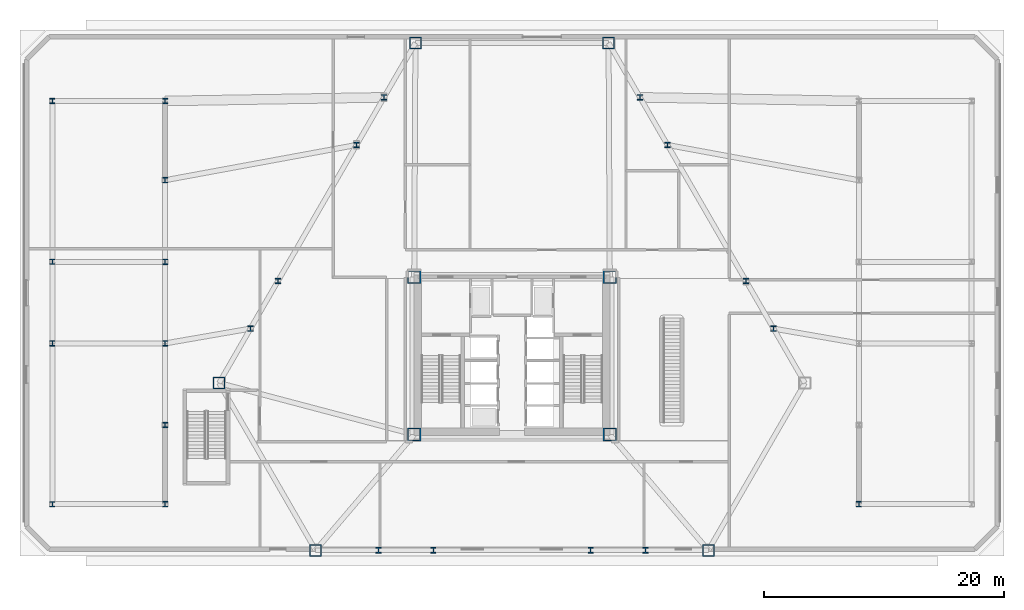
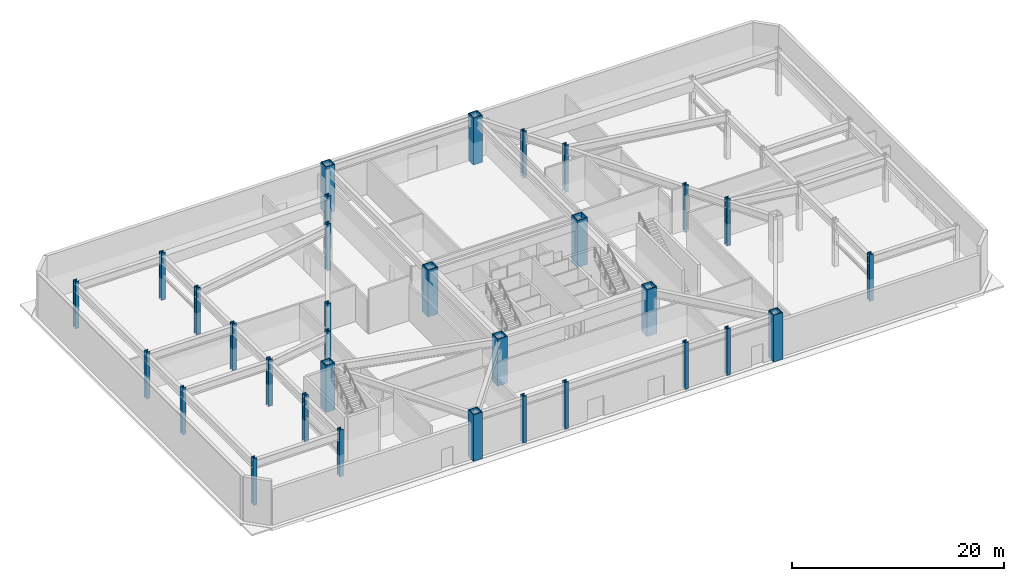
# One storey, part 1 of 12: 32 columns.
"""IFC4 building model written with IfcOpenShell, lengths in metres."""

from ifc_helpers import new_model, si_unit, direction, frame, origin, origin_2d, place, context, subcontext, project, spatial, hollow_rectangle, i_section, extrude, material, material_profile, profile_set, type_object, element, save


model = new_model("IFC4")

# Units and contexts
model_context = context("Model", 3, precision=1e-05, world=origin(), true_north=direction((0.0, 1.0)))
body_context = subcontext(model_context, "Body", "Model", "MODEL_VIEW")
ifc_project = project(units=[si_unit("LENGTHUNIT", "METRE"), si_unit("AREAUNIT", "SQUARE_METRE"), si_unit("VOLUMEUNIT", "CUBIC_METRE"), si_unit("PLANEANGLEUNIT", "RADIAN"), si_unit("MASSUNIT", "GRAM", prefix="KILO")], contexts=[model_context])

# Site, building, storey
site_placement = place(None, origin())
site = spatial("IfcSite", under=ifc_project, at=site_placement, CompositionType="ELEMENT")
building_placement = place(site_placement, origin())
building = spatial("IfcBuilding", under=site, at=building_placement, Name="Oramaril Tower", CompositionType="ELEMENT")
storey_placement = place(building_placement, origin())
storey = spatial("IfcBuildingStorey", under=building, at=storey_placement, Name="L00", CompositionType="ELEMENT", Elevation=0.0)

# Columns
ifc_material_1 = material(Name="Steel ASTM A572 Gr 50", Category="steel")
ifc_material_profile_1 = material_profile(ifc_material_1, hollow_rectangle(XDim=1.10009765625, YDim=1.10009765625, WallThickness=0.090087890625, at=origin_2d()), Name="BOX1100X1100X90")
ifc_profile_set_1 = profile_set([ifc_material_profile_1], Name="Steel ASTM A572 Gr 50")
column_type_1 = type_object("IfcColumnType", Name="CT-CC1", PredefinedType="COLUMN", material=ifc_profile_set_1)
for number, where, z_axis, x_axis, name in (
    (1, (29.35009765625, 11.0, 0.0), (0.0, 0.0, 1.0), (1.0, 0.0, 0.0), "L00 Core Column CC-1"),
    (2, (45.64990234375, 11.0, 0.0), (0.0, 0.0, 1.0), (1.0, 0.0, 0.0), "L00 Core Column CC-2"),
    (3, (45.64990234375, 24.14990234375, 0.0), (0.0, 0.0, 1.0), (1.0, 0.0, 0.0), "L00 Core Column CC-3"),
    (4, (29.35009765625, 24.14990234375, 0.0), (0.0, 0.0, 1.0), (1.0, 0.0, 0.0), "L00 Core Column CC-4"),
):
    element("IfcColumn", number, at=place(storey_placement, frame(where, z_axis=z_axis, x_axis=x_axis)), inside=storey, type_object=column_type_1, Name=name, PredefinedType="COLUMN", context=body_context, shape_type="SweptSolid", body=[
        extrude(hollow_rectangle(XDim=1.10009765625, YDim=1.10009765625, WallThickness=0.090087890625, at=origin_2d()), origin(), (0.0, 0.0, 1.0), 5.39990234375),
    ])
ifc_material_2 = material(Name="Steel ASTM A572 Gr 50", Category="steel")
ifc_material_profile_2 = material_profile(ifc_material_2, hollow_rectangle(XDim=1.0, YDim=1.0, WallThickness=0.0849609375, at=origin_2d()), Name="BOX1000X1000X85")
ifc_profile_set_2 = profile_set([ifc_material_profile_2], Name="Steel ASTM A572 Gr 50")
column_type_2 = type_object("IfcColumnType", Name="CT-TC1", PredefinedType="COLUMN", material=ifc_profile_set_2)
for number, where, z_axis, x_axis, name in (
    (5, (13.089599609375, 15.300048828125, 0.00439453125), (0.0, 0.0, 1.0), (1.0, 0.0, 0.0), "L00 Tube Column TC-01"),
    (6, (21.137939453125, 1.360107421875, 0.00439453125), (0.0, 0.0, 1.0), (1.0, 0.0, 0.0), "L00 Tube Column TC-02"),
    (7, (53.862060546875, 1.360107421875, 0.00439453125), (0.0, 0.0, 1.0), (1.0, 0.0, 0.0), "L00 Tube Column TC-03"),
    (8, (45.548095703125, 43.639892578125, 0.00439453125), (0.0, 0.0, 1.0), (1.0, 0.0, 0.0), "L00 Tube Column TC-05"),
    (9, (29.451904296875, 43.639892578125, 0.00439453125), (0.0, 0.0, 1.0), (1.0, 0.0, 0.0), "L00 Tube Column TC-06"),
):
    element("IfcColumn", number, at=place(storey_placement, frame(where, z_axis=z_axis, x_axis=x_axis)), inside=storey, type_object=column_type_2, Name=name, PredefinedType="COLUMN", context=body_context, shape_type="SweptSolid", body=[
        extrude(hollow_rectangle(XDim=1.0, YDim=1.0, WallThickness=0.0849609375, at=origin_2d()), origin(), (0.0, 0.0, 1.0), 5.39111328125),
    ])
ifc_material_3 = material(Name="Steel ASTM A572 Gr 50", Category="steel")
ifc_material_profile_3 = material_profile(ifc_material_3, i_section(OverallWidth=0.422119140625, OverallDepth=0.465087890625, WebThickness=0.044921875, FlangeThickness=0.072021484375, at=origin_2d()), Name="W14X398")
ifc_profile_set_3 = profile_set([ifc_material_profile_3], Name="Steel ASTM A572 Gr 50")
column_type_3 = type_object("IfcColumnType", Name="CT-TF1", PredefinedType="COLUMN", material=ifc_profile_set_3)
for number, where, z_axis, x_axis, name in (
    (10, (26.373779296875, 1.360107421875, 0.00439453125), (0.0, 0.0, 1.0), (1.0, 0.0, 0.0), "L00 Tube Column TC-07"),
    (11, (30.955078125, 1.360107421875, 0.00439453125), (0.0, 0.0, 1.0), (1.0, 0.0, 0.0), "L00 Tube Column TC-08"),
    (12, (44.044921875, 1.360107421875, 0.00439453125), (0.0, 0.0, 1.0), (1.0, 0.0, 0.0), "L00 Tube Column TC-09"),
    (13, (48.626220703125, 1.360107421875, 0.00439453125), (0.0, 0.0, 1.0), (1.0, 0.0, 0.0), "L00 Tube Column TC-10"),
    (14, (59.29248046875, 19.83447265625, 0.00439453125), (0.0, 0.0, 1.0), (1.0, 0.0, 0.0), "L00 Tube Column TC-11"),
    (15, (57.001708984375, 23.802001953125, 0.00439453125), (0.0, 0.0, 1.0), (1.0, 0.0, 0.0), "L00 Tube Column TC-12"),
    (16, (50.456787109375, 35.137939453125, 0.00439453125), (0.0, 0.0, 1.0), (1.0, 0.0, 0.0), "L00 Tube Column TC-13"),
    (17, (48.166015625, 39.105712890625, 0.00439453125), (0.0, 0.0, 1.0), (1.0, 0.0, 0.0), "L00 Tube Column TC-14"),
    (18, (26.833984375, 39.105712890625, 0.00439453125), (0.0, 0.0, 1.0), (1.0, 0.0, 0.0), "L00 Tube Column TC-15"),
    (19, (24.543212890625, 35.137939453125, 0.00439453125), (0.0, 0.0, 1.0), (1.0, 0.0, 0.0), "L00 Tube Column TC-16"),
    (20, (17.998291015625, 23.802001953125, 0.00439453125), (0.0, 0.0, 1.0), (1.0, 0.0, 0.0), "L00 Tube Column TC-17"),
    (21, (15.70751953125, 19.83447265625, 0.00439453125), (0.0, 0.0, 1.0), (1.0, 0.0, 0.0), "L00 Tube Column TC-18"),
):
    element("IfcColumn", number, at=place(storey_placement, frame(where, z_axis=z_axis, x_axis=x_axis)), inside=storey, type_object=column_type_3, Name=name, PredefinedType="COLUMN", context=body_context, shape_type="SweptSolid", body=[
        extrude(i_section(OverallWidth=0.422119140625, OverallDepth=0.465087890625, WebThickness=0.044921875, FlangeThickness=0.072021484375, at=origin_2d()), origin(), (0.0, 0.0, 1.0), 5.39111328125),
    ])
for number, where, z_axis, x_axis, name in (
    (22, (8.60009765625, 5.199951171875, 0.0), (0.0, 0.0, 1.0), (1.0, 0.0, 0.0), "L00 Podium Column PCOL-01"),
    (23, (8.60009765625, 11.800048828125, 0.0), (0.0, 0.0, 1.0), (1.0, 0.0, 0.0), "L00 Podium Column PCOL-02"),
    (24, (8.60009765625, 18.60009765625, 0.0), (0.0, 0.0, 1.0), (1.0, 0.0, 0.0), "L00 Podium Column PCOL-03"),
    (25, (8.60009765625, 25.39990234375, 0.0), (0.0, 0.0, 1.0), (1.0, 0.0, 0.0), "L00 Podium Column PCOL-04"),
    (26, (8.60009765625, 32.199951171875, 0.0), (0.0, 0.0, 1.0), (1.0, 0.0, 0.0), "L00 Podium Column PCOL-05"),
    (27, (8.60009765625, 38.800048828125, 0.0), (0.0, 0.0, 1.0), (1.0, 0.0, 0.0), "L00 Podium Column PCOL-06"),
    (28, (66.39990234375, 5.199951171875, 0.0), (0.0, 0.0, 1.0), (1.0, 0.0, 0.0), "L00 Podium Column PCOL-07"),
):
    element("IfcColumn", number, at=place(storey_placement, frame(where, z_axis=z_axis, x_axis=x_axis)), inside=storey, type_object=column_type_3, Name=name, PredefinedType="COLUMN", context=body_context, shape_type="SweptSolid", body=[
        extrude(i_section(OverallWidth=0.422119140625, OverallDepth=0.465087890625, WebThickness=0.044921875, FlangeThickness=0.072021484375, at=origin_2d()), origin(), (0.0, 0.0, 1.0), 5.39990234375),
    ])
ifc_material_4 = material(Name="Steel ASTM A572 Gr 50", Category="steel")
ifc_material_profile_4 = material_profile(ifc_material_4, i_section(OverallWidth=0.410888671875, OverallDepth=0.43408203125, WebThickness=0.035888671875, FlangeThickness=0.057373046875, at=origin_2d()), Name="W14X311")
ifc_profile_set_4 = profile_set([ifc_material_profile_4], Name="Steel ASTM A572 Gr 50")
column_type_4 = type_object("IfcColumnType", Name="CT-TF2", PredefinedType="COLUMN", material=ifc_profile_set_4)
for number, where, z_axis, x_axis, name in (
    (29, (-0.800048828125, 5.199951171875, 0.0), (0.0, 0.0, 1.0), (1.0, 0.0, 0.0), "L00 Lower Podium Wing Column WCOL-01"),
    (30, (-0.800048828125, 18.60009765625, 0.0), (0.0, 0.0, 1.0), (1.0, 0.0, 0.0), "L00 Lower Podium Wing Column WCOL-02"),
    (31, (-0.800048828125, 25.39990234375, 0.0), (0.0, 0.0, 1.0), (1.0, 0.0, 0.0), "L00 Lower Podium Wing Column WCOL-03"),
    (32, (-0.800048828125, 38.800048828125, 0.0), (0.0, 0.0, 1.0), (1.0, 0.0, 0.0), "L00 Lower Podium Wing Column WCOL-04"),
):
    element("IfcColumn", number, at=place(storey_placement, frame(where, z_axis=z_axis, x_axis=x_axis)), inside=storey, type_object=column_type_4, Name=name, PredefinedType="COLUMN", context=body_context, shape_type="SweptSolid", body=[
        extrude(i_section(OverallWidth=0.410888671875, OverallDepth=0.43408203125, WebThickness=0.035888671875, FlangeThickness=0.057373046875, at=origin_2d()), origin(), (0.0, 0.0, 1.0), 5.39990234375),
    ])

save(model, "model.ifc")
